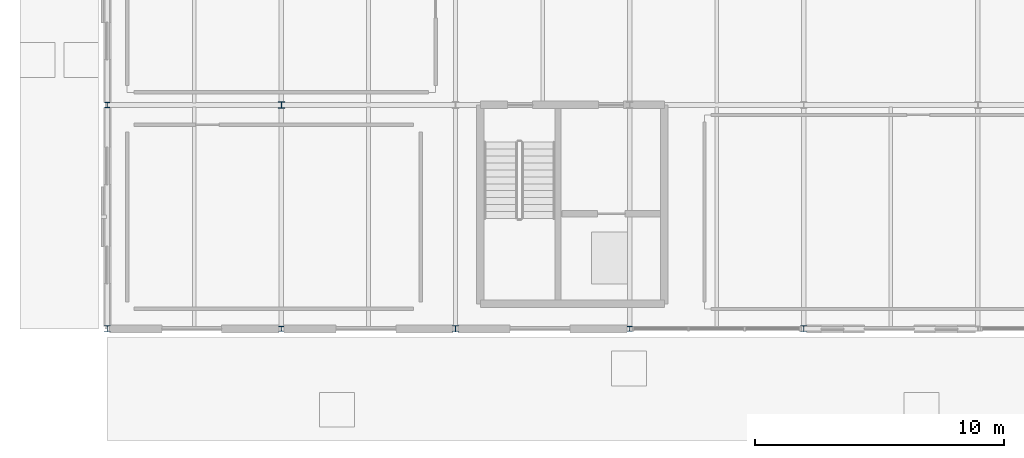
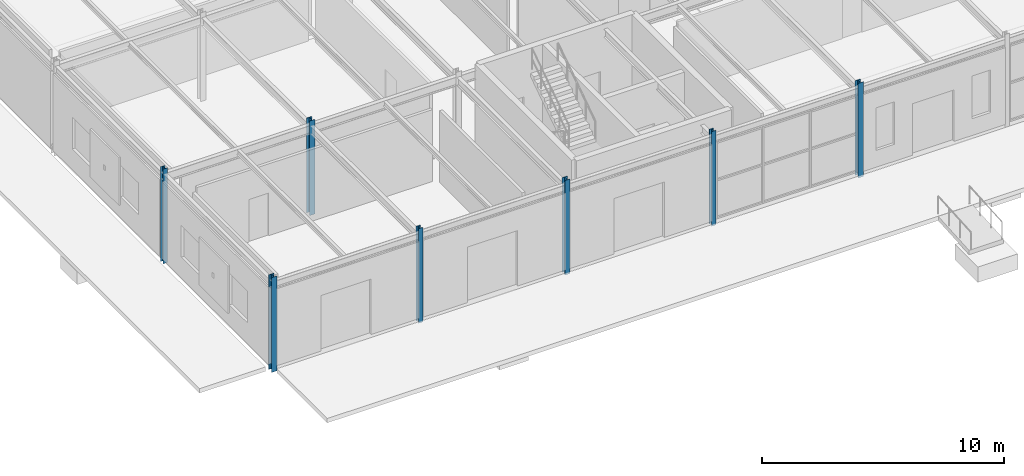
# One storey, part 3 of 119: 7 columns.
"""IFC4 building model written with IfcOpenShell, lengths in metres."""

from ifc_helpers import new_model, si_unit, derived_unit, direction, frame, origin, origin_2d_with_axis, place, context, subcontext, project, spatial, i_section, extrude, material, material_profile, profile_set, type_object, element, save


model = new_model("IFC4")

# Units and contexts
model_context = context("Model", 3, precision=1e-05, world=origin(), true_north=direction((0.0, 1.0)))
body_context = subcontext(model_context, "Body", "Model", "MODEL_VIEW")
ifc_project = project(units=[si_unit("LENGTHUNIT", "METRE"), si_unit("AREAUNIT", "SQUARE_METRE"), si_unit("VOLUMEUNIT", "CUBIC_METRE"), si_unit("PLANEANGLEUNIT", "RADIAN"), si_unit("MASSUNIT", "GRAM", prefix="KILO"), derived_unit("THERMALTRANSMITTANCEUNIT", [(si_unit("POWERUNIT", "WATT"), 1), (si_unit("LENGTHUNIT", "METRE"), -2), (si_unit("THERMODYNAMICTEMPERATUREUNIT", "KELVIN"), -1)])], contexts=[model_context])

# Site, building, storey
site_placement = place(None, origin())
site = spatial("IfcSite", under=ifc_project, at=site_placement, CompositionType="ELEMENT")
building_placement = place(site_placement, origin())
building = spatial("IfcBuilding", under=site, at=building_placement, Name="Cinnabar Yard Market Hall", CompositionType="ELEMENT")
storey_placement = place(building_placement, origin())
storey = spatial("IfcBuildingStorey", under=building, at=storey_placement, Name="L00", CompositionType="ELEMENT", Elevation=0.0)

# Columns
ifc_material = material(Name="Steel Grade 300 (300 MPa)", Category="steel")
ifc_material_profile_1 = material_profile(ifc_material, i_section(OverallWidth=0.256103515625, OverallDepth=0.260009765625, WebThickness=0.010498046875, FlangeThickness=0.017333984375, FilletRadius=0.013916015625, at=origin_2d_with_axis()), Name="250UC89.5")
ifc_profile_set_1 = profile_set([ifc_material_profile_1], Name="Steel Grade 300 (300 MPa)")
column_type_1 = type_object("IfcColumnType", Name="COL-C10", PredefinedType="COLUMN", material=ifc_profile_set_1)
column_placement = place(storey_placement, frame((17.0, 57.0, -0.280029296875), z_axis=(0.0, 0.0, 1.0), x_axis=(1.0, 0.0, 0.0)))
element("IfcColumn", 1, at=column_placement, inside=storey, type_object=column_type_1, Name="Pavilion Column V2-02-02 L00", PredefinedType="COLUMN", context=body_context, shape_type="SweptSolid", body=[
    extrude(i_section(OverallWidth=0.256103515625, OverallDepth=0.260009765625, WebThickness=0.010498046875, FlangeThickness=0.017333984375, FilletRadius=0.013916015625, at=origin_2d_with_axis()), origin(), (0.0, 0.0, 1.0), 4.780029296875),
])
ifc_material_profile_2 = material_profile(ifc_material, i_section(OverallWidth=0.25390625, OverallDepth=0.25390625, WebThickness=0.008544921875, FlangeThickness=0.01416015625, FilletRadius=0.013916015625, at=origin_2d_with_axis()), Name="250UC72.9")
ifc_profile_set_2 = profile_set([ifc_material_profile_2], Name="Steel Grade 300 (300 MPa)")
column_type_2 = type_object("IfcColumnType", Name="COL-C11E", PredefinedType="COLUMN", material=ifc_profile_set_2)
for number, where, z_axis, x_axis, name in (
    (2, (10.0, 48.0, -0.280029296875), (0.0, 0.0, 1.0), (1.0, 0.0, 0.0), "Pavilion Column V2-01-01 L00"),
    (3, (24.0, 48.0, -0.280029296875), (0.0, 0.0, 1.0), (1.0, 0.0, 0.0), "Pavilion Column V2-03-01 L00"),
    (4, (38.0, 48.0, -0.280029296875), (0.0, 0.0, 1.0), (1.0, 0.0, 0.0), "Pavilion Column V2-05-01 L00"),
):
    element("IfcColumn", number, at=place(storey_placement, frame(where, z_axis=z_axis, x_axis=x_axis)), inside=storey, type_object=column_type_2, Name=name, PredefinedType="COLUMN", context=body_context, shape_type="SweptSolid", body=[
        extrude(i_section(OverallWidth=0.25390625, OverallDepth=0.25390625, WebThickness=0.008544921875, FlangeThickness=0.01416015625, FilletRadius=0.013916015625, at=origin_2d_with_axis()), origin(), (0.0, 0.0, 1.0), 4.780029296875),
    ])
ifc_material_profile_3 = material_profile(ifc_material, i_section(OverallWidth=0.205078125, OverallDepth=0.209716796875, WebThickness=0.00927734375, FlangeThickness=0.01416015625, FilletRadius=0.011474609375, at=origin_2d_with_axis()), Name="200UC59.5")
ifc_profile_set_3 = profile_set([ifc_material_profile_3], Name="Steel Grade 300 (300 MPa)")
column_type_3 = type_object("IfcColumnType", Name="COL-C12E", PredefinedType="COLUMN", material=ifc_profile_set_3)
for number, where, z_axis, x_axis, name in (
    (5, (10.0, 57.0, -0.280029296875), (0.0, 0.0, 1.0), (1.0, 0.0, 0.0), "Pavilion Column V2-01-02 L00"),
    (6, (17.0, 48.0, -0.280029296875), (0.0, 0.0, 1.0), (1.0, 0.0, 0.0), "Pavilion Column V2-02-01 L00"),
    (7, (31.0, 48.0, -0.280029296875), (0.0, 0.0, 1.0), (1.0, 0.0, 0.0), "Pavilion Column V2-04-01 L00"),
):
    element("IfcColumn", number, at=place(storey_placement, frame(where, z_axis=z_axis, x_axis=x_axis)), inside=storey, type_object=column_type_3, Name=name, PredefinedType="COLUMN", context=body_context, shape_type="SweptSolid", body=[
        extrude(i_section(OverallWidth=0.205078125, OverallDepth=0.209716796875, WebThickness=0.00927734375, FlangeThickness=0.01416015625, FilletRadius=0.011474609375, at=origin_2d_with_axis()), origin(), (0.0, 0.0, 1.0), 4.780029296875),
    ])

save(model, "model.ifc")
